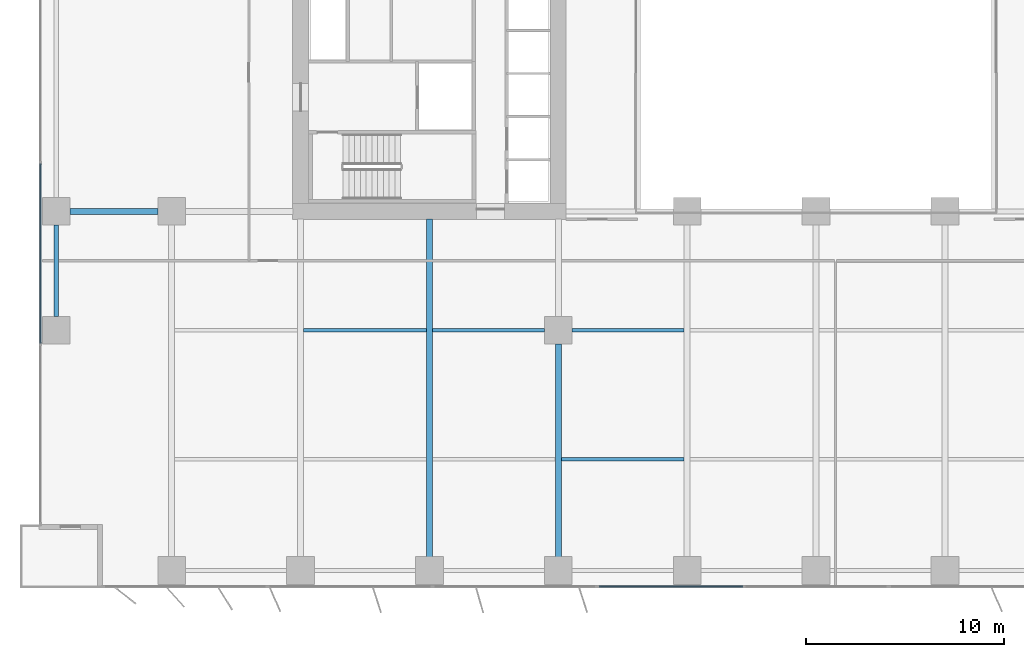
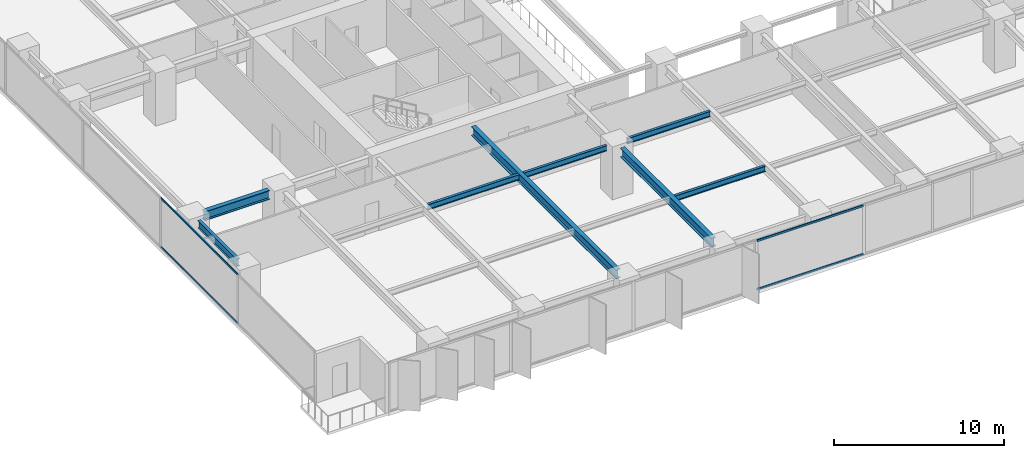
# One storey, part 3 of 20: 8 beams, 4 members, 2 elements without a shape of their own.
"""IFC4 building model written with IfcOpenShell, lengths in metres."""

from ifc_helpers import new_model, si_unit, direction, frame, origin, origin_2d, place, context, subcontext, project, spatial, rectangle, i_section, extrude, material, layer, layer_set, material_profile, profile_set, type_object, element, aggregate, save


model = new_model("IFC4")

# Units and contexts
model_context = context("Model", 3, precision=1e-05, world=origin(), true_north=direction((0.0, 1.0)))
body_context = subcontext(model_context, "Body", "Model", "MODEL_VIEW")
ifc_project = project(units=[si_unit("LENGTHUNIT", "METRE"), si_unit("AREAUNIT", "SQUARE_METRE"), si_unit("VOLUMEUNIT", "CUBIC_METRE"), si_unit("PLANEANGLEUNIT", "RADIAN"), si_unit("MASSUNIT", "GRAM", prefix="KILO")], contexts=[model_context])

# Site, building, storey
site_placement = place(None, origin())
site = spatial("IfcSite", under=ifc_project, at=site_placement, CompositionType="ELEMENT")
building_placement = place(site_placement, origin())
building = spatial("IfcBuilding", under=site, at=building_placement, Name="Putna Gate Headquarters", CompositionType="ELEMENT")
storey_placement = place(building_placement, frame((0.0, 0.0, 35.39990234375)))
storey = spatial("IfcBuildingStorey", under=building, at=storey_placement, Name="L07", CompositionType="ELEMENT", Elevation=35.39990234375)

# Beams
ifc_material_1 = material(Name="Steel S355J2", Category="steel")
ifc_material_profile_1 = material_profile(ifc_material_1, i_section(OverallWidth=0.300048828125, OverallDepth=0.64990234375, WebThickness=0.01611328125, FlangeThickness=0.031005859375, at=origin_2d()), Name="Steel S355J2")
ifc_profile_set_1 = profile_set([ifc_material_profile_1], Name="Steel S355J2")
beam_type_1 = type_object("IfcBeamType", Name="BM-GIRD-Z1-HEB650", PredefinedType="USERDEFINED", material=ifc_profile_set_1)
beam_1_placement = place(storey_placement, frame((1.367919921875, 19.0, 3.22509765625), z_axis=(1.0, 0.0, 0.0), x_axis=(0.0, 1.0, 0.0)))
element("IfcBeam", 1, at=beam_1_placement, inside=storey, type_object=beam_type_1, Name="L07 West Wing Girder Y19-1", ObjectType="GIRDER", PredefinedType="USERDEFINED", context=body_context, shape_type="SweptSolid", body=[
    extrude(i_section(OverallWidth=0.300048828125, OverallDepth=0.64990234375, WebThickness=0.01611328125, FlangeThickness=0.031005859375, at=origin_2d()), origin(), (0.0, 0.0, 1.0), 4.444091796875),
])
beam_2_placement = place(storey_placement, frame((19.5, 1.568115234375, 3.22509765625), z_axis=(0.0, 1.0, 0.0), x_axis=(-1.0, 0.0, 0.0)))
element("IfcBeam", 2, at=beam_2_placement, inside=storey, type_object=beam_type_1, Name="L07 South Primary Girder X19", ObjectType="GIRDER", PredefinedType="USERDEFINED", context=body_context, shape_type="SweptSolid", body=[
    extrude(i_section(OverallWidth=0.300048828125, OverallDepth=0.64990234375, WebThickness=0.01611328125, FlangeThickness=0.031005859375, at=origin_2d()), origin(), (0.0, 0.0, 1.0), 17.046875),
])
beam_3_placement = place(storey_placement, frame((26.0, 1.568115234375, 3.22509765625), z_axis=(0.0, 1.0, 0.0), x_axis=(-1.0, 0.0, 0.0)))
element("IfcBeam", 3, at=beam_3_placement, inside=storey, type_object=beam_type_1, Name="L07 South Primary Girder X26-1", ObjectType="GIRDER", PredefinedType="USERDEFINED", context=body_context, shape_type="SweptSolid", body=[
    extrude(i_section(OverallWidth=0.300048828125, OverallDepth=0.64990234375, WebThickness=0.01611328125, FlangeThickness=0.031005859375, at=origin_2d()), origin(), (0.0, 0.0, 1.0), 10.743896484375),
])
ifc_material_profile_2 = material_profile(ifc_material_1, i_section(OverallWidth=0.179931640625, OverallDepth=0.39990234375, WebThickness=0.008544921875, FlangeThickness=0.013427734375, at=origin_2d()), Name="Steel S355J2")
ifc_profile_set_2 = profile_set([ifc_material_profile_2], Name="Steel S355J2")
beam_type_2 = type_object("IfcBeamType", Name="BM-SEC-Z1-IPE400", PredefinedType="BEAM", material=ifc_profile_set_2)
beam_4_placement = place(storey_placement, frame((13.154052734375, 13.0, 3.35009765625), z_axis=(1.0, 0.0, 0.0), x_axis=(0.0, 1.0, 0.0)))
element("IfcBeam", 4, at=beam_4_placement, inside=storey, type_object=beam_type_2, Name="L07 South Secondary Beam 2", PredefinedType="BEAM", context=body_context, shape_type="SweptSolid", body=[
    extrude(i_section(OverallWidth=0.179931640625, OverallDepth=0.39990234375, WebThickness=0.008544921875, FlangeThickness=0.013427734375, at=origin_2d()), origin(), (0.0, 0.0, 1.0), 6.19189453125),
])
beam_5_placement = place(storey_placement, frame((19.654052734375, 13.0, 3.35009765625), z_axis=(1.0, 0.0, 0.0), x_axis=(0.0, 1.0, 0.0)))
element("IfcBeam", 5, at=beam_5_placement, inside=storey, type_object=beam_type_2, Name="L07 South Secondary Beam 3", PredefinedType="BEAM", context=body_context, shape_type="SweptSolid", body=[
    extrude(i_section(OverallWidth=0.179931640625, OverallDepth=0.39990234375, WebThickness=0.008544921875, FlangeThickness=0.013427734375, at=origin_2d()), origin(), (0.0, 0.0, 1.0), 5.657958984375),
])
beam_6_placement = place(storey_placement, frame((26.154052734375, 6.5, 3.35009765625), z_axis=(1.0, 0.0, 0.0), x_axis=(0.0, 1.0, 0.0)))
element("IfcBeam", 6, at=beam_6_placement, inside=storey, type_object=beam_type_2, Name="L07 South Secondary Beam 4", PredefinedType="BEAM", context=body_context, shape_type="SweptSolid", body=[
    extrude(i_section(OverallWidth=0.179931640625, OverallDepth=0.39990234375, WebThickness=0.008544921875, FlangeThickness=0.013427734375, at=origin_2d()), origin(), (0.0, 0.0, 1.0), 6.19189453125),
])
beam_7_placement = place(storey_placement, frame((26.68798828125, 13.0, 3.35009765625), z_axis=(1.0, 0.0, 0.0), x_axis=(0.0, 1.0, 0.0)))
element("IfcBeam", 7, at=beam_7_placement, inside=storey, type_object=beam_type_2, Name="L07 South Secondary Beam 4", PredefinedType="BEAM", context=body_context, shape_type="SweptSolid", body=[
    extrude(i_section(OverallWidth=0.179931640625, OverallDepth=0.39990234375, WebThickness=0.008544921875, FlangeThickness=0.013427734375, at=origin_2d()), origin(), (0.0, 0.0, 1.0), 5.657958984375),
])
ifc_material_profile_3 = material_profile(ifc_material_1, i_section(OverallWidth=0.2099609375, OverallDepth=0.550048828125, WebThickness=0.010986328125, FlangeThickness=0.01708984375, at=origin_2d()), Name="Steel S355J2")
ifc_profile_set_3 = profile_set([ifc_material_profile_3], Name="Steel S355J2")
beam_type_3 = type_object("IfcBeamType", Name="BM-SPAN-Z1-IPE550", PredefinedType="SPANDREL", material=ifc_profile_set_3)
beam_8_placement = place(storey_placement, frame((0.679931640625, 13.68798828125, 3.275146484375), z_axis=(0.0, 1.0, 0.0), x_axis=(-1.0, 0.0, 0.0)))
element("IfcBeam", 8, at=beam_8_placement, inside=storey, type_object=beam_type_3, Name="L07 W End Spandrel 1", PredefinedType="SPANDREL", context=body_context, shape_type="SweptSolid", body=[
    extrude(i_section(OverallWidth=0.2099609375, OverallDepth=0.550048828125, WebThickness=0.010986328125, FlangeThickness=0.01708984375, at=origin_2d()), origin(), (0.0, 0.0, 1.0), 4.6240234375),
])

# Curtain wall, members
ifc_material_2 = material(Name="Anodised bronze aluminium curtain wall", Category="aluminium")
ifc_layer_1 = layer(ifc_material_2, 0.179931640625)
ifc_layer_set_1 = layer_set([ifc_layer_1], Name="Anodised bronze aluminium curtain wall")
curtain_wall_type_1 = type_object("IfcCurtainWallType", Name="CW-SYS-Z1", PredefinedType="USERDEFINED", material=ifc_layer_set_1)
curtain_wall_1_placement = place(storey_placement, origin())
curtain_wall_1 = element("IfcCurtainWall", 9, at=curtain_wall_1_placement, inside=storey, type_object=curtain_wall_type_1, Name="L07 West Curtain Wall", ObjectType="STICK CURTAIN WALL", PredefinedType="USERDEFINED")
ifc_material_3 = material(Name="Anodised bronze aluminium EN AW-6060", Category="aluminium")
ifc_material_profile_4 = material_profile(ifc_material_3, rectangle(XDim=0.06494140625, YDim=0.1201171875, at=origin_2d()), Name="Anodised bronze aluminium EN AW-6060")
ifc_profile_set_4 = profile_set([ifc_material_profile_4], Name="Anodised bronze aluminium EN AW-6060")
member_type_1 = type_object("IfcMemberType", Name="TRAN-CWT-1", PredefinedType="USERDEFINED", material=ifc_profile_set_4)
member_1_placement = place(storey_placement, frame((-0.1201171875, 12.35498046875, 0.03271484375), z_axis=(0.0, 1.0, 0.0), x_axis=(-1.0, 0.0, 0.0)))
member_1 = element("IfcMember", 10, at=member_1_placement, type_object=member_type_1, Name="CWS-1 transom 2.1", ObjectType="TRANSOM", PredefinedType="USERDEFINED", context=body_context, shape_type="SweptSolid", body=[
    extrude(rectangle(XDim=0.06494140625, YDim=0.1201171875, at=origin_2d()), origin(), (0.0, 0.0, 1.0), 9.050048828125),
])
member_2_placement = place(storey_placement, frame((-0.1201171875, 12.35498046875, 3.517578125), z_axis=(0.0, 1.0, 0.0), x_axis=(-1.0, 0.0, 0.0)))
member_2 = element("IfcMember", 11, at=member_2_placement, type_object=member_type_1, Name="CWS-1 transom 2.2", ObjectType="TRANSOM", PredefinedType="USERDEFINED", context=body_context, shape_type="SweptSolid", body=[
    extrude(rectangle(XDim=0.06494140625, YDim=0.1201171875, at=origin_2d()), origin(), (0.0, 0.0, 1.0), 9.050048828125),
])
aggregate(curtain_wall_1, [member_1, member_2])

ifc_layer_2 = layer(ifc_material_2, 0.179931640625)
ifc_layer_set_2 = layer_set([ifc_layer_2], Name="Anodised bronze aluminium curtain wall")
curtain_wall_type_2 = type_object("IfcCurtainWallType", Name="CW-SYS-ATR", PredefinedType="USERDEFINED", material=ifc_layer_set_2)
curtain_wall_2_placement = place(storey_placement, origin())
curtain_wall_2 = element("IfcCurtainWall", 12, at=curtain_wall_2_placement, inside=storey, type_object=curtain_wall_type_2, Name="L07 South Atrium Clear Glazing", ObjectType="ATRIUM GLAZING", PredefinedType="USERDEFINED")
ifc_material_profile_5 = material_profile(ifc_material_3, rectangle(XDim=0.070068359375, YDim=0.139892578125, at=origin_2d()), Name="Anodised bronze aluminium EN AW-6060")
ifc_profile_set_5 = profile_set([ifc_material_profile_5], Name="Anodised bronze aluminium EN AW-6060")
member_type_2 = type_object("IfcMemberType", Name="TRAN-CWT-AT", PredefinedType="USERDEFINED", material=ifc_profile_set_5)
member_3_placement = place(storey_placement, frame((28.070068359375, 0.080078125, 0.03515625), z_axis=(1.0, 0.0, 0.0), x_axis=(0.0, 1.0, 0.0)))
member_3 = element("IfcMember", 13, at=member_3_placement, type_object=member_type_2, Name="CWS-AT transom 1.1", ObjectType="TRANSOM", PredefinedType="USERDEFINED", context=body_context, shape_type="SweptSolid", body=[
    extrude(rectangle(XDim=0.070068359375, YDim=0.139892578125, at=origin_2d()), origin(), (0.0, 0.0, 1.0), 7.228271484375),
])
member_4_placement = place(storey_placement, frame((28.070068359375, 0.080078125, 3.51513671875), z_axis=(1.0, 0.0, 0.0), x_axis=(0.0, 1.0, 0.0)))
member_4 = element("IfcMember", 14, at=member_4_placement, type_object=member_type_2, Name="CWS-AT transom 1.2", ObjectType="TRANSOM", PredefinedType="USERDEFINED", context=body_context, shape_type="SweptSolid", body=[
    extrude(rectangle(XDim=0.070068359375, YDim=0.139892578125, at=origin_2d()), origin(), (0.0, 0.0, 1.0), 7.228271484375),
])
aggregate(curtain_wall_2, [member_3, member_4])

save(model, "model.ifc")
